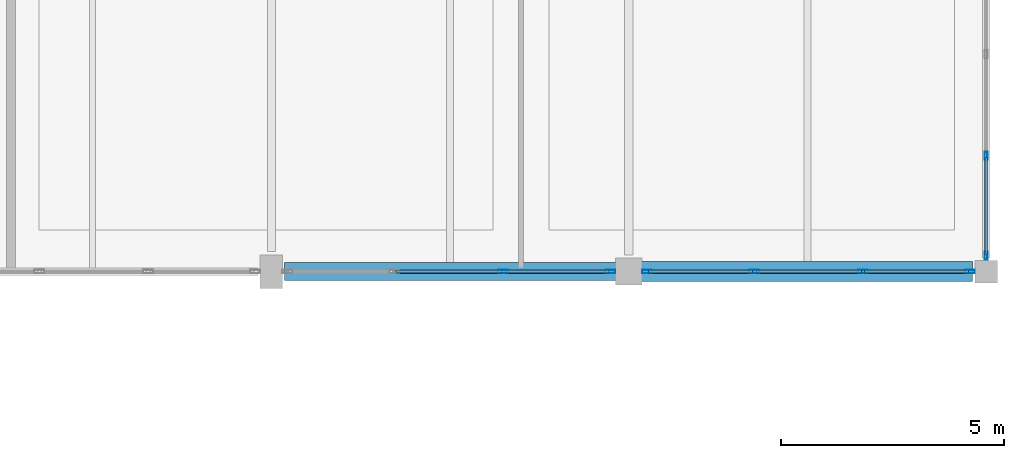
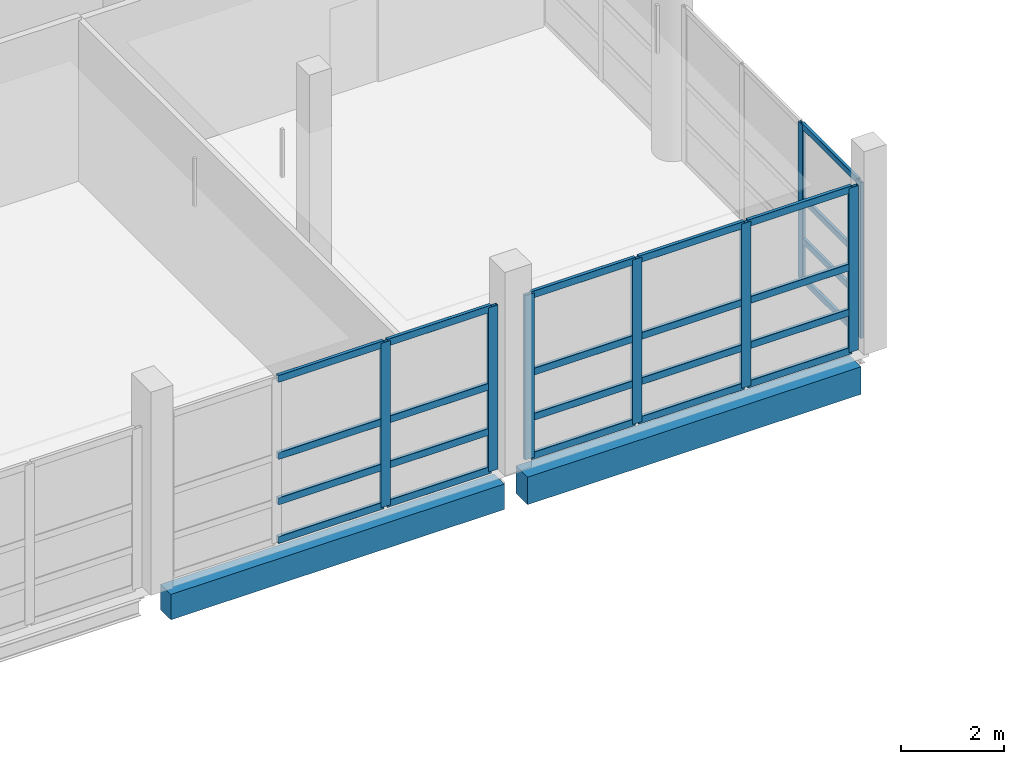
# One storey, part 17 of 46: 32 members, 2 beams, 3 elements without a shape of their own.
"""IFC4 building model written with IfcOpenShell, lengths in metres."""

from ifc_helpers import new_model, si_unit, direction, frame, origin, origin_2d, place, context, subcontext, project, spatial, rectangle, hollow_rectangle, extrude, material, material_profile, profile_set, type_object, element, aggregate, save


model = new_model("IFC4")

# Units and contexts
model_context = context("Model", 3, precision=1e-05, world=origin(), true_north=direction((0.0, 1.0)))
body_context = subcontext(model_context, "Body", "Model", "MODEL_VIEW")
ifc_project = project(units=[si_unit("LENGTHUNIT", "METRE"), si_unit("AREAUNIT", "SQUARE_METRE"), si_unit("VOLUMEUNIT", "CUBIC_METRE"), si_unit("PLANEANGLEUNIT", "RADIAN"), si_unit("MASSUNIT", "GRAM", prefix="KILO")], contexts=[model_context])

# Site, building, storey
site_placement = place(None, origin())
site = spatial("IfcSite", under=ifc_project, at=site_placement, CompositionType="ELEMENT")
building_placement = place(site_placement, origin())
building = spatial("IfcBuilding", under=site, at=building_placement, Name="Khelvaren Railside Concert Hall", CompositionType="ELEMENT")
storey_placement = place(building_placement, frame((0.0, 0.0, 19.800048828125)))
storey = spatial("IfcBuildingStorey", under=building, at=storey_placement, Name="L04", CompositionType="ELEMENT", Elevation=19.800048828125)

# Curtain wall, members
ifc_material_1 = material(Name="Triple-glazed solar-control glass", Category="glass")
curtain_wall_type_1 = type_object("IfcCurtainWallType", Name="CW14", PredefinedType="USERDEFINED", material=ifc_material_1)
curtain_wall_1_placement = place(storey_placement, origin())
curtain_wall_1 = element("IfcCurtainWall", 1, at=curtain_wall_1_placement, inside=storey, type_object=curtain_wall_type_1, Name="Unitised Curtain Wall CW-V5-L04-S-168", ObjectType="UNITISED CURTAIN WALL", PredefinedType="USERDEFINED")
ifc_material_2 = material(Name="Anodised architectural aluminium 6063-T6", Category="aluminium")
ifc_material_profile_1 = material_profile(ifc_material_2, hollow_rectangle(XDim=0.074951171875, YDim=0.219970703125, WallThickness=0.0048828125, InnerFilletRadius=0.0029296875, OuterFilletRadius=0.0048828125, at=origin_2d()), Name="CWM 75x220x5")
ifc_profile_set_1 = profile_set([ifc_material_profile_1], Name="Anodised architectural aluminium 6063-T6")
member_type_1 = type_object("IfcMemberType", Name="CWM13", PredefinedType="MULLION", material=ifc_profile_set_1)
member_1_placement = place(storey_placement, frame((175.590087890625, 91.199951171875, 0.0), z_axis=(0.0, 0.0, 1.0), x_axis=(0.0, -1.0, 0.0)))
member_1 = element("IfcMember", 2, at=member_1_placement, type_object=member_type_1, Name="CW14 mullion 1", PredefinedType="MULLION", context=body_context, shape_type="SweptSolid", body=[
    extrude(hollow_rectangle(XDim=0.074951171875, YDim=0.219970703125, WallThickness=0.0048828125, InnerFilletRadius=0.0029296875, OuterFilletRadius=0.0048828125, at=origin_2d()), origin(), (0.0, 0.0, 1.0), 3.8798828125),
])
member_2_placement = place(storey_placement, frame((173.1923828125, 91.199951171875, 0.0), z_axis=(0.0, 0.0, 1.0), x_axis=(0.0, -1.0, 0.0)))
member_2 = element("IfcMember", 3, at=member_2_placement, type_object=member_type_1, Name="CW14 mullion 2", PredefinedType="MULLION", context=body_context, shape_type="SweptSolid", body=[
    extrude(hollow_rectangle(XDim=0.074951171875, YDim=0.219970703125, WallThickness=0.0048828125, InnerFilletRadius=0.0029296875, OuterFilletRadius=0.0048828125, at=origin_2d()), origin(), (0.0, 0.0, 1.0), 3.8798828125),
])

curtain_wall_type_2 = type_object("IfcCurtainWallType", Name="CW80", PredefinedType="USERDEFINED", material=ifc_material_1)
curtain_wall_2_placement = place(storey_placement, origin())
curtain_wall_2 = element("IfcCurtainWall", 4, at=curtain_wall_2_placement, inside=storey, type_object=curtain_wall_type_2, Name="Unitised Curtain Wall CW-V5-L04-S-176", ObjectType="UNITISED CURTAIN WALL", PredefinedType="USERDEFINED")
member_3_placement = place(storey_placement, frame((183.639892578125, 91.199951171875, 0.0), z_axis=(0.0, 0.0, 1.0), x_axis=(0.0, -1.0, 0.0)))
member_3 = element("IfcMember", 5, at=member_3_placement, type_object=member_type_1, Name="CW80 mullion 1", PredefinedType="MULLION", context=body_context, shape_type="SweptSolid", body=[
    extrude(hollow_rectangle(XDim=0.074951171875, YDim=0.219970703125, WallThickness=0.0048828125, InnerFilletRadius=0.0029296875, OuterFilletRadius=0.0048828125, at=origin_2d()), origin(), (0.0, 0.0, 1.0), 3.8798828125),
])
member_4_placement = place(storey_placement, frame((181.242431640625, 91.199951171875, 0.0), z_axis=(0.0, 0.0, 1.0), x_axis=(0.0, -1.0, 0.0)))
member_4 = element("IfcMember", 6, at=member_4_placement, type_object=member_type_1, Name="CW80 mullion 2", PredefinedType="MULLION", context=body_context, shape_type="SweptSolid", body=[
    extrude(hollow_rectangle(XDim=0.074951171875, YDim=0.219970703125, WallThickness=0.0048828125, InnerFilletRadius=0.0029296875, OuterFilletRadius=0.0048828125, at=origin_2d()), origin(), (0.0, 0.0, 1.0), 3.8798828125),
])
member_5_placement = place(storey_placement, frame((178.8076171875, 91.199951171875, 0.0), z_axis=(0.0, 0.0, 1.0), x_axis=(0.0, -1.0, 0.0)))
member_5 = element("IfcMember", 7, at=member_5_placement, type_object=member_type_1, Name="CW80 mullion 3", PredefinedType="MULLION", context=body_context, shape_type="SweptSolid", body=[
    extrude(hollow_rectangle(XDim=0.074951171875, YDim=0.219970703125, WallThickness=0.0048828125, InnerFilletRadius=0.0029296875, OuterFilletRadius=0.0048828125, at=origin_2d()), origin(), (0.0, 0.0, 1.0), 3.8798828125),
])
member_6_placement = place(storey_placement, frame((176.409912109375, 91.199951171875, 0.0), z_axis=(0.0, 0.0, 1.0), x_axis=(0.0, -1.0, 0.0)))
member_6 = element("IfcMember", 8, at=member_6_placement, type_object=member_type_1, Name="CW80 mullion 4", PredefinedType="MULLION", context=body_context, shape_type="SweptSolid", body=[
    extrude(hollow_rectangle(XDim=0.074951171875, YDim=0.219970703125, WallThickness=0.0048828125, InnerFilletRadius=0.0029296875, OuterFilletRadius=0.0048828125, at=origin_2d()), origin(), (0.0, 0.0, 1.0), 3.8798828125),
])

ifc_material_3 = material(Name="Double-glazed low-E dark acoustic glass", Category="glass")
curtain_wall_type_3 = type_object("IfcCurtainWallType", Name="CW32", PredefinedType="USERDEFINED", material=ifc_material_3)
curtain_wall_3_placement = place(storey_placement, origin())
curtain_wall_3 = element("IfcCurtainWall", 9, at=curtain_wall_3_placement, inside=storey, type_object=curtain_wall_type_3, Name="Unitised Curtain Wall CW-V5-L04-E-91", ObjectType="UNITISED CURTAIN WALL", PredefinedType="USERDEFINED")
ifc_material_profile_2 = material_profile(ifc_material_2, hollow_rectangle(XDim=0.06494140625, YDim=0.179931640625, WallThickness=0.00390625, InnerFilletRadius=0.001953125, OuterFilletRadius=0.00390625, at=origin_2d()), Name="CWM 65x180x4")
ifc_profile_set_2 = profile_set([ifc_material_profile_2], Name="Anodised architectural aluminium 6063-T6")
member_type_2 = type_object("IfcMemberType", Name="CWM63", PredefinedType="MULLION", material=ifc_profile_set_2)
member_7_placement = place(storey_placement, frame((184.0, 93.7890625, 0.0), z_axis=(0.0, 0.0, 1.0), x_axis=(1.0, 0.0, 0.0)))
member_7 = element("IfcMember", 10, at=member_7_placement, type_object=member_type_2, Name="CW32 mullion 3", PredefinedType="MULLION", context=body_context, shape_type="SweptSolid", body=[
    extrude(hollow_rectangle(XDim=0.06494140625, YDim=0.179931640625, WallThickness=0.00390625, InnerFilletRadius=0.001953125, OuterFilletRadius=0.00390625, at=origin_2d()), origin(), (0.0, 0.0, 1.0), 3.679931640625),
])
member_8_placement = place(storey_placement, frame((184.0, 91.550048828125, 0.0), z_axis=(0.0, 0.0, 1.0), x_axis=(1.0, 0.0, 0.0)))
member_8 = element("IfcMember", 11, at=member_8_placement, type_object=member_type_2, Name="CW32 mullion 4", PredefinedType="MULLION", context=body_context, shape_type="SweptSolid", body=[
    extrude(hollow_rectangle(XDim=0.06494140625, YDim=0.179931640625, WallThickness=0.00390625, InnerFilletRadius=0.001953125, OuterFilletRadius=0.00390625, at=origin_2d()), origin(), (0.0, 0.0, 1.0), 3.679931640625),
])

# Member
ifc_material_profile_3 = material_profile(ifc_material_2, hollow_rectangle(XDim=0.074951171875, YDim=0.1650390625, WallThickness=0.00390625, InnerFilletRadius=0.001953125, OuterFilletRadius=0.00390625, at=origin_2d()), Name="CWT 75x165x4")
ifc_profile_set_3 = profile_set([ifc_material_profile_3], Name="Anodised architectural aluminium 6063-T6")
member_type_3 = type_object("IfcMemberType", Name="CWT46", PredefinedType="USERDEFINED", material=ifc_profile_set_3)
member_9_placement = place(storey_placement, frame((175.552490234375, 91.199951171875, 0.037353515625), z_axis=(-1.0, 0.0, 0.0), x_axis=(0.0, -1.0, 0.0)))
member_9 = element("IfcMember", 12, at=member_9_placement, type_object=member_type_3, Name="CW14 transom 1.1", ObjectType="TRANSOM", PredefinedType="USERDEFINED", context=body_context, shape_type="SweptSolid", body=[
    extrude(hollow_rectangle(XDim=0.074951171875, YDim=0.1650390625, WallThickness=0.00390625, InnerFilletRadius=0.001953125, OuterFilletRadius=0.00390625, at=origin_2d()), origin(), (0.0, 0.0, 1.0), 2.322509765625),
])

member_10_placement = place(storey_placement, frame((175.552490234375, 91.199951171875, 0.949951171875), z_axis=(-1.0, 0.0, 0.0), x_axis=(0.0, -1.0, 0.0)))
member_10 = element("IfcMember", 13, at=member_10_placement, type_object=member_type_3, Name="CW14 transom 1.2", ObjectType="TRANSOM", PredefinedType="USERDEFINED", context=body_context, shape_type="SweptSolid", body=[
    extrude(hollow_rectangle(XDim=0.074951171875, YDim=0.1650390625, WallThickness=0.00390625, InnerFilletRadius=0.001953125, OuterFilletRadius=0.00390625, at=origin_2d()), origin(), (0.0, 0.0, 1.0), 2.322509765625),
])

member_11_placement = place(storey_placement, frame((175.552490234375, 91.199951171875, 2.017578125), z_axis=(-1.0, 0.0, 0.0), x_axis=(0.0, -1.0, 0.0)))
member_11 = element("IfcMember", 14, at=member_11_placement, type_object=member_type_3, Name="CW14 transom 1.3", ObjectType="TRANSOM", PredefinedType="USERDEFINED", context=body_context, shape_type="SweptSolid", body=[
    extrude(hollow_rectangle(XDim=0.074951171875, YDim=0.1650390625, WallThickness=0.00390625, InnerFilletRadius=0.001953125, OuterFilletRadius=0.00390625, at=origin_2d()), origin(), (0.0, 0.0, 1.0), 2.322509765625),
])

member_12_placement = place(storey_placement, frame((175.552490234375, 91.199951171875, 3.842529296875), z_axis=(-1.0, 0.0, 0.0), x_axis=(0.0, -1.0, 0.0)))
member_12 = element("IfcMember", 15, at=member_12_placement, type_object=member_type_3, Name="CW14 transom 1.4", ObjectType="TRANSOM", PredefinedType="USERDEFINED", context=body_context, shape_type="SweptSolid", body=[
    extrude(hollow_rectangle(XDim=0.074951171875, YDim=0.1650390625, WallThickness=0.00390625, InnerFilletRadius=0.001953125, OuterFilletRadius=0.00390625, at=origin_2d()), origin(), (0.0, 0.0, 1.0), 2.322509765625),
])

member_13_placement = place(storey_placement, frame((173.155029296875, 91.199951171875, 0.037353515625), z_axis=(-1.0, 0.0, 0.0), x_axis=(0.0, -1.0, 0.0)))
member_13 = element("IfcMember", 16, at=member_13_placement, type_object=member_type_3, Name="CW14 transom 2.1", ObjectType="TRANSOM", PredefinedType="USERDEFINED", context=body_context, shape_type="SweptSolid", body=[
    extrude(hollow_rectangle(XDim=0.074951171875, YDim=0.1650390625, WallThickness=0.00390625, InnerFilletRadius=0.001953125, OuterFilletRadius=0.00390625, at=origin_2d()), origin(), (0.0, 0.0, 1.0), 2.360107421875),
])

member_14_placement = place(storey_placement, frame((173.155029296875, 91.199951171875, 0.949951171875), z_axis=(-1.0, 0.0, 0.0), x_axis=(0.0, -1.0, 0.0)))
member_14 = element("IfcMember", 17, at=member_14_placement, type_object=member_type_3, Name="CW14 transom 2.2", ObjectType="TRANSOM", PredefinedType="USERDEFINED", context=body_context, shape_type="SweptSolid", body=[
    extrude(hollow_rectangle(XDim=0.074951171875, YDim=0.1650390625, WallThickness=0.00390625, InnerFilletRadius=0.001953125, OuterFilletRadius=0.00390625, at=origin_2d()), origin(), (0.0, 0.0, 1.0), 2.360107421875),
])

member_15_placement = place(storey_placement, frame((173.155029296875, 91.199951171875, 2.017578125), z_axis=(-1.0, 0.0, 0.0), x_axis=(0.0, -1.0, 0.0)))
member_15 = element("IfcMember", 18, at=member_15_placement, type_object=member_type_3, Name="CW14 transom 2.3", ObjectType="TRANSOM", PredefinedType="USERDEFINED", context=body_context, shape_type="SweptSolid", body=[
    extrude(hollow_rectangle(XDim=0.074951171875, YDim=0.1650390625, WallThickness=0.00390625, InnerFilletRadius=0.001953125, OuterFilletRadius=0.00390625, at=origin_2d()), origin(), (0.0, 0.0, 1.0), 2.360107421875),
])

member_16_placement = place(storey_placement, frame((173.155029296875, 91.199951171875, 3.842529296875), z_axis=(-1.0, 0.0, 0.0), x_axis=(0.0, -1.0, 0.0)))
member_16 = element("IfcMember", 19, at=member_16_placement, type_object=member_type_3, Name="CW14 transom 2.4", ObjectType="TRANSOM", PredefinedType="USERDEFINED", context=body_context, shape_type="SweptSolid", body=[
    extrude(hollow_rectangle(XDim=0.074951171875, YDim=0.1650390625, WallThickness=0.00390625, InnerFilletRadius=0.001953125, OuterFilletRadius=0.00390625, at=origin_2d()), origin(), (0.0, 0.0, 1.0), 2.360107421875),
])

aggregate(curtain_wall_1, [member_1, member_2, member_9, member_10, member_11, member_12, member_13, member_14, member_15, member_16])

member_17_placement = place(storey_placement, frame((183.6025390625, 91.199951171875, 0.037353515625), z_axis=(-1.0, 0.0, 0.0), x_axis=(0.0, -1.0, 0.0)))
member_17 = element("IfcMember", 20, at=member_17_placement, type_object=member_type_3, Name="CW80 transom 1.1", ObjectType="TRANSOM", PredefinedType="USERDEFINED", context=body_context, shape_type="SweptSolid", body=[
    extrude(hollow_rectangle(XDim=0.074951171875, YDim=0.1650390625, WallThickness=0.00390625, InnerFilletRadius=0.001953125, OuterFilletRadius=0.00390625, at=origin_2d()), origin(), (0.0, 0.0, 1.0), 2.322509765625),
])

member_18_placement = place(storey_placement, frame((183.6025390625, 91.199951171875, 0.949951171875), z_axis=(-1.0, 0.0, 0.0), x_axis=(0.0, -1.0, 0.0)))
member_18 = element("IfcMember", 21, at=member_18_placement, type_object=member_type_3, Name="CW80 transom 1.2", ObjectType="TRANSOM", PredefinedType="USERDEFINED", context=body_context, shape_type="SweptSolid", body=[
    extrude(hollow_rectangle(XDim=0.074951171875, YDim=0.1650390625, WallThickness=0.00390625, InnerFilletRadius=0.001953125, OuterFilletRadius=0.00390625, at=origin_2d()), origin(), (0.0, 0.0, 1.0), 2.322509765625),
])

member_19_placement = place(storey_placement, frame((183.6025390625, 91.199951171875, 2.017578125), z_axis=(-1.0, 0.0, 0.0), x_axis=(0.0, -1.0, 0.0)))
member_19 = element("IfcMember", 22, at=member_19_placement, type_object=member_type_3, Name="CW80 transom 1.3", ObjectType="TRANSOM", PredefinedType="USERDEFINED", context=body_context, shape_type="SweptSolid", body=[
    extrude(hollow_rectangle(XDim=0.074951171875, YDim=0.1650390625, WallThickness=0.00390625, InnerFilletRadius=0.001953125, OuterFilletRadius=0.00390625, at=origin_2d()), origin(), (0.0, 0.0, 1.0), 2.322509765625),
])

member_20_placement = place(storey_placement, frame((183.6025390625, 91.199951171875, 3.842529296875), z_axis=(-1.0, 0.0, 0.0), x_axis=(0.0, -1.0, 0.0)))
member_20 = element("IfcMember", 23, at=member_20_placement, type_object=member_type_3, Name="CW80 transom 1.4", ObjectType="TRANSOM", PredefinedType="USERDEFINED", context=body_context, shape_type="SweptSolid", body=[
    extrude(hollow_rectangle(XDim=0.074951171875, YDim=0.1650390625, WallThickness=0.00390625, InnerFilletRadius=0.001953125, OuterFilletRadius=0.00390625, at=origin_2d()), origin(), (0.0, 0.0, 1.0), 2.322509765625),
])

member_21_placement = place(storey_placement, frame((181.205078125, 91.199951171875, 0.037353515625), z_axis=(-1.0, 0.0, 0.0), x_axis=(0.0, -1.0, 0.0)))
member_21 = element("IfcMember", 24, at=member_21_placement, type_object=member_type_3, Name="CW80 transom 2.1", ObjectType="TRANSOM", PredefinedType="USERDEFINED", context=body_context, shape_type="SweptSolid", body=[
    extrude(hollow_rectangle(XDim=0.074951171875, YDim=0.1650390625, WallThickness=0.00390625, InnerFilletRadius=0.001953125, OuterFilletRadius=0.00390625, at=origin_2d()), origin(), (0.0, 0.0, 1.0), 2.360107421875),
])

member_22_placement = place(storey_placement, frame((181.205078125, 91.199951171875, 0.949951171875), z_axis=(-1.0, 0.0, 0.0), x_axis=(0.0, -1.0, 0.0)))
member_22 = element("IfcMember", 25, at=member_22_placement, type_object=member_type_3, Name="CW80 transom 2.2", ObjectType="TRANSOM", PredefinedType="USERDEFINED", context=body_context, shape_type="SweptSolid", body=[
    extrude(hollow_rectangle(XDim=0.074951171875, YDim=0.1650390625, WallThickness=0.00390625, InnerFilletRadius=0.001953125, OuterFilletRadius=0.00390625, at=origin_2d()), origin(), (0.0, 0.0, 1.0), 2.360107421875),
])

member_23_placement = place(storey_placement, frame((181.205078125, 91.199951171875, 2.017578125), z_axis=(-1.0, 0.0, 0.0), x_axis=(0.0, -1.0, 0.0)))
member_23 = element("IfcMember", 26, at=member_23_placement, type_object=member_type_3, Name="CW80 transom 2.3", ObjectType="TRANSOM", PredefinedType="USERDEFINED", context=body_context, shape_type="SweptSolid", body=[
    extrude(hollow_rectangle(XDim=0.074951171875, YDim=0.1650390625, WallThickness=0.00390625, InnerFilletRadius=0.001953125, OuterFilletRadius=0.00390625, at=origin_2d()), origin(), (0.0, 0.0, 1.0), 2.360107421875),
])

member_24_placement = place(storey_placement, frame((181.205078125, 91.199951171875, 3.842529296875), z_axis=(-1.0, 0.0, 0.0), x_axis=(0.0, -1.0, 0.0)))
member_24 = element("IfcMember", 27, at=member_24_placement, type_object=member_type_3, Name="CW80 transom 2.4", ObjectType="TRANSOM", PredefinedType="USERDEFINED", context=body_context, shape_type="SweptSolid", body=[
    extrude(hollow_rectangle(XDim=0.074951171875, YDim=0.1650390625, WallThickness=0.00390625, InnerFilletRadius=0.001953125, OuterFilletRadius=0.00390625, at=origin_2d()), origin(), (0.0, 0.0, 1.0), 2.360107421875),
])

member_25_placement = place(storey_placement, frame((178.77001953125, 91.199951171875, 0.037353515625), z_axis=(-1.0, 0.0, 0.0), x_axis=(0.0, -1.0, 0.0)))
member_25 = element("IfcMember", 28, at=member_25_placement, type_object=member_type_3, Name="CW80 transom 3.1", ObjectType="TRANSOM", PredefinedType="USERDEFINED", context=body_context, shape_type="SweptSolid", body=[
    extrude(hollow_rectangle(XDim=0.074951171875, YDim=0.1650390625, WallThickness=0.00390625, InnerFilletRadius=0.001953125, OuterFilletRadius=0.00390625, at=origin_2d()), origin(), (0.0, 0.0, 1.0), 2.322509765625),
])

member_26_placement = place(storey_placement, frame((178.77001953125, 91.199951171875, 0.949951171875), z_axis=(-1.0, 0.0, 0.0), x_axis=(0.0, -1.0, 0.0)))
member_26 = element("IfcMember", 29, at=member_26_placement, type_object=member_type_3, Name="CW80 transom 3.2", ObjectType="TRANSOM", PredefinedType="USERDEFINED", context=body_context, shape_type="SweptSolid", body=[
    extrude(hollow_rectangle(XDim=0.074951171875, YDim=0.1650390625, WallThickness=0.00390625, InnerFilletRadius=0.001953125, OuterFilletRadius=0.00390625, at=origin_2d()), origin(), (0.0, 0.0, 1.0), 2.322509765625),
])

member_27_placement = place(storey_placement, frame((178.77001953125, 91.199951171875, 2.017578125), z_axis=(-1.0, 0.0, 0.0), x_axis=(0.0, -1.0, 0.0)))
member_27 = element("IfcMember", 30, at=member_27_placement, type_object=member_type_3, Name="CW80 transom 3.3", ObjectType="TRANSOM", PredefinedType="USERDEFINED", context=body_context, shape_type="SweptSolid", body=[
    extrude(hollow_rectangle(XDim=0.074951171875, YDim=0.1650390625, WallThickness=0.00390625, InnerFilletRadius=0.001953125, OuterFilletRadius=0.00390625, at=origin_2d()), origin(), (0.0, 0.0, 1.0), 2.322509765625),
])

member_28_placement = place(storey_placement, frame((178.77001953125, 91.199951171875, 3.842529296875), z_axis=(-1.0, 0.0, 0.0), x_axis=(0.0, -1.0, 0.0)))
member_28 = element("IfcMember", 31, at=member_28_placement, type_object=member_type_3, Name="CW80 transom 3.4", ObjectType="TRANSOM", PredefinedType="USERDEFINED", context=body_context, shape_type="SweptSolid", body=[
    extrude(hollow_rectangle(XDim=0.074951171875, YDim=0.1650390625, WallThickness=0.00390625, InnerFilletRadius=0.001953125, OuterFilletRadius=0.00390625, at=origin_2d()), origin(), (0.0, 0.0, 1.0), 2.322509765625),
])

aggregate(curtain_wall_2, [member_3, member_4, member_5, member_6, member_17, member_18, member_19, member_20, member_21, member_22, member_23, member_24, member_25, member_26, member_27, member_28])

ifc_material_profile_4 = material_profile(ifc_material_2, hollow_rectangle(XDim=0.06494140625, YDim=0.139892578125, WallThickness=0.00390625, InnerFilletRadius=0.001953125, OuterFilletRadius=0.00390625, at=origin_2d()), Name="CWT 65x140x4")
ifc_profile_set_4 = profile_set([ifc_material_profile_4], Name="Anodised architectural aluminium 6063-T6")
member_type_4 = type_object("IfcMemberType", Name="CWT72", PredefinedType="USERDEFINED", material=ifc_profile_set_4)
member_29_placement = place(storey_placement, frame((184.0, 93.756591796875, 0.032470703125), z_axis=(0.0, -1.0, 0.0), x_axis=(1.0, 0.0, 0.0)))
member_29 = element("IfcMember", 32, at=member_29_placement, type_object=member_type_4, Name="CW32 transom 3.1", ObjectType="TRANSOM", PredefinedType="USERDEFINED", context=body_context, shape_type="SweptSolid", body=[
    extrude(hollow_rectangle(XDim=0.06494140625, YDim=0.139892578125, WallThickness=0.00390625, InnerFilletRadius=0.001953125, OuterFilletRadius=0.00390625, at=origin_2d()), origin(), (0.0, 0.0, 1.0), 2.174072265625),
])

member_30_placement = place(storey_placement, frame((184.0, 93.756591796875, 0.949951171875), z_axis=(0.0, -1.0, 0.0), x_axis=(1.0, 0.0, 0.0)))
member_30 = element("IfcMember", 33, at=member_30_placement, type_object=member_type_4, Name="CW32 transom 3.2", ObjectType="TRANSOM", PredefinedType="USERDEFINED", context=body_context, shape_type="SweptSolid", body=[
    extrude(hollow_rectangle(XDim=0.06494140625, YDim=0.139892578125, WallThickness=0.00390625, InnerFilletRadius=0.001953125, OuterFilletRadius=0.00390625, at=origin_2d()), origin(), (0.0, 0.0, 1.0), 2.174072265625),
])

member_31_placement = place(storey_placement, frame((184.0, 93.756591796875, 1.91357421875), z_axis=(0.0, -1.0, 0.0), x_axis=(1.0, 0.0, 0.0)))
member_31 = element("IfcMember", 34, at=member_31_placement, type_object=member_type_4, Name="CW32 transom 3.3", ObjectType="TRANSOM", PredefinedType="USERDEFINED", context=body_context, shape_type="SweptSolid", body=[
    extrude(hollow_rectangle(XDim=0.06494140625, YDim=0.139892578125, WallThickness=0.00390625, InnerFilletRadius=0.001953125, OuterFilletRadius=0.00390625, at=origin_2d()), origin(), (0.0, 0.0, 1.0), 2.174072265625),
])

member_32_placement = place(storey_placement, frame((184.0, 93.756591796875, 3.6474609375), z_axis=(0.0, -1.0, 0.0), x_axis=(1.0, 0.0, 0.0)))
member_32 = element("IfcMember", 35, at=member_32_placement, type_object=member_type_4, Name="CW32 transom 3.4", ObjectType="TRANSOM", PredefinedType="USERDEFINED", context=body_context, shape_type="SweptSolid", body=[
    extrude(hollow_rectangle(XDim=0.06494140625, YDim=0.139892578125, WallThickness=0.00390625, InnerFilletRadius=0.001953125, OuterFilletRadius=0.00390625, at=origin_2d()), origin(), (0.0, 0.0, 1.0), 2.174072265625),
])

aggregate(curtain_wall_3, [member_7, member_8, member_29, member_30, member_31, member_32])

# Beams
ifc_material_4 = material(Name="Concrete C40/50", Category="concrete")
ifc_material_profile_5 = material_profile(ifc_material_4, rectangle(XDim=0.449951171875, YDim=0.64990234375, at=origin_2d()), Name="RCB 450x650")
ifc_profile_set_5 = profile_set([ifc_material_profile_5], Name="Concrete C40/50")
beam_type_1 = type_object("IfcBeamType", Name="SP34", PredefinedType="SPANDREL", material=ifc_profile_set_5)
beam_1_placement = place(storey_placement, frame((176.25, 91.199951171875, -0.594970703125), z_axis=(1.0, 0.0, 0.0), x_axis=(0.0, 1.0, 0.0)))
element("IfcBeam", 36, at=beam_1_placement, inside=storey, type_object=beam_type_1, Name="V5 L04 Spandrel X2.7", PredefinedType="SPANDREL", context=body_context, shape_type="SweptSolid", body=[
    extrude(rectangle(XDim=0.449951171875, YDim=0.64990234375, at=origin_2d()), origin(), (0.0, 0.0, 1.0), 7.449951171875),
])
ifc_material_profile_6 = material_profile(ifc_material_4, rectangle(XDim=0.39990234375, YDim=0.60009765625, at=origin_2d()), Name="RCB 400x600")
ifc_profile_set_6 = profile_set([ifc_material_profile_6], Name="Concrete C40/50")
beam_type_2 = type_object("IfcBeamType", Name="SP75", PredefinedType="SPANDREL", material=ifc_profile_set_6)
beam_2_placement = place(storey_placement, frame((168.300048828125, 91.199951171875, -0.570068359375), z_axis=(1.0, 0.0, 0.0), x_axis=(0.0, 1.0, 0.0)))
element("IfcBeam", 37, at=beam_2_placement, inside=storey, type_object=beam_type_2, Name="V5 L04 Spandrel X2.6", PredefinedType="SPANDREL", context=body_context, shape_type="SweptSolid", body=[
    extrude(rectangle(XDim=0.39990234375, YDim=0.60009765625, at=origin_2d()), origin(), (0.0, 0.0, 1.0), 7.449951171875),
])

save(model, "model.ifc")
